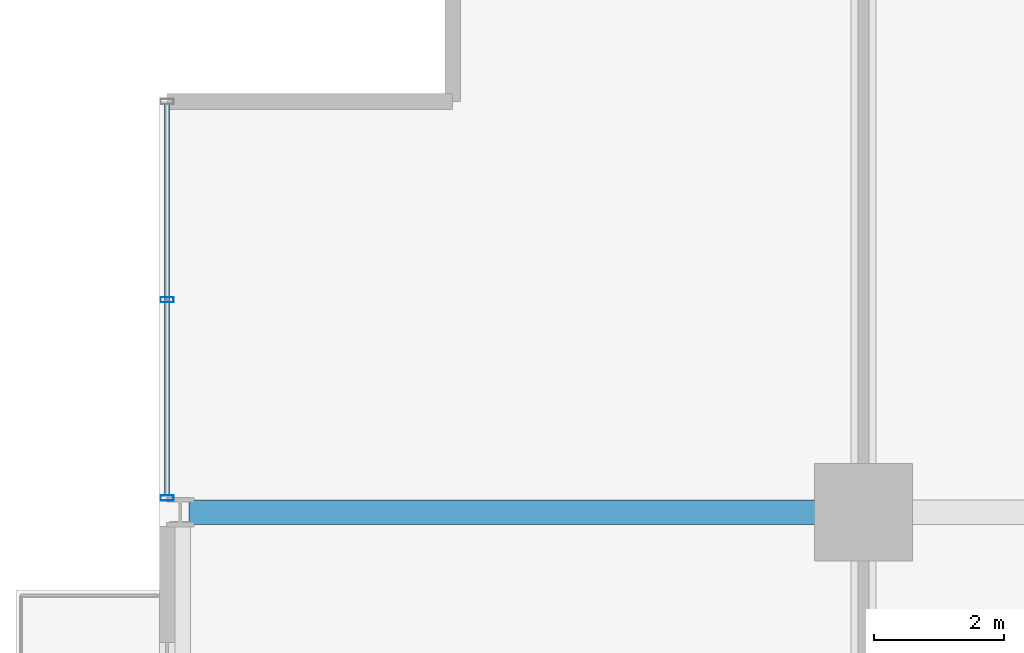
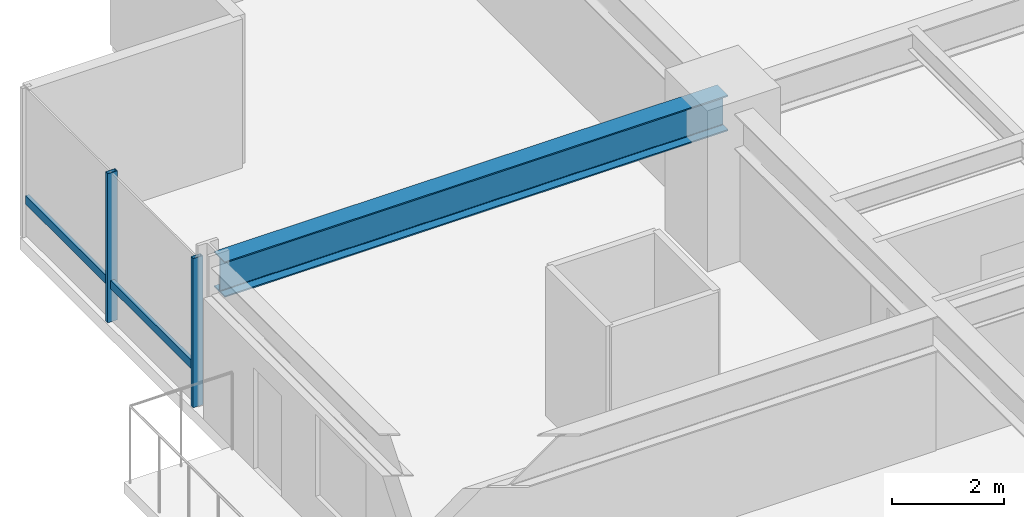
# One storey, part 18 of 34: 3 members, 1 beam, 1 element without a shape of its own.
"""IFC4 building model written with IfcOpenShell, lengths in metres."""

from ifc_helpers import new_model, si_unit, direction, frame, origin, origin_2d, place, context, subcontext, project, spatial, hollow_rectangle, i_section, extrude, material, layer, layer_set, material_profile, profile_set, type_object, element, aggregate, save


model = new_model("IFC4")

# Units and contexts
model_context = context("Model", 3, precision=1e-05, world=origin(), true_north=direction((0.0, 1.0)))
body_context = subcontext(model_context, "Body", "Model", "MODEL_VIEW")
ifc_project = project(units=[si_unit("LENGTHUNIT", "METRE"), si_unit("AREAUNIT", "SQUARE_METRE"), si_unit("VOLUMEUNIT", "CUBIC_METRE"), si_unit("PLANEANGLEUNIT", "RADIAN"), si_unit("MASSUNIT", "GRAM", prefix="KILO")], contexts=[model_context])

# Site, building, storey
site_placement = place(None, origin())
site = spatial("IfcSite", under=ifc_project, at=site_placement, CompositionType="ELEMENT")
building_placement = place(site_placement, origin())
building = spatial("IfcBuilding", under=site, at=building_placement, Name="Drelvath Grand Hotel", CompositionType="ELEMENT")
storey_placement = place(building_placement, frame((0.0, 0.0, 109.300048828125)))
storey = spatial("IfcBuildingStorey", under=building, at=storey_placement, Name="L27", CompositionType="ELEMENT", Elevation=109.300048828125)

# Curtain wall, members
ifc_material_1 = material(Name="Champagne Bronze Anodised Aluminium Frame", Category="aluminium")
ifc_layer = layer(ifc_material_1, 0.199951171875)
ifc_layer_set = layer_set([ifc_layer], Name="Champagne Bronze Anodised Aluminium Frame")
curtain_wall_type = type_object("IfcCurtainWallType", Name="Stick Curtain Wall CW-03 Champagne Bronze Mid-Rise", PredefinedType="NOTDEFINED", material=ifc_layer_set)
curtain_wall_placement = place(storey_placement, origin())
curtain_wall = element("IfcCurtainWall", 1, at=curtain_wall_placement, inside=storey, type_object=curtain_wall_type, Name="L27 CW-03 Curtain Wall CW03-L27-WN3", PredefinedType="NOTDEFINED")
ifc_material_profile_1 = material_profile(ifc_material_1, hollow_rectangle(XDim=0.074951171875, YDim=0.179931640625, WallThickness=0.0048828125, at=origin_2d()), Name="HSS180X75X5")
ifc_profile_set_1 = profile_set([ifc_material_profile_1], Name="Champagne Bronze Anodised Aluminium Frame")
member_type_1 = type_object("IfcMemberType", Name="Curtain Wall Horizontal Transom CW-03 HSS180X75X5", PredefinedType="USERDEFINED", material=ifc_profile_set_1)
member_1_placement = place(storey_placement, frame((-26.8798828125, 43.459716796875, 0.81005859375), z_axis=(0.0, 1.0, 0.0), x_axis=(-1.0, 0.0, 0.0)))
member_1 = element("IfcMember", 2, at=member_1_placement, type_object=member_type_1, Name="CW03-L27-WN3 Sill Transom", ObjectType="TRANSOM", PredefinedType="USERDEFINED", context=body_context, shape_type="SweptSolid", body=[
    extrude(hollow_rectangle(XDim=0.074951171875, YDim=0.179931640625, WallThickness=0.0048828125, at=origin_2d()), origin(), (0.0, 0.0, 1.0), 6.000244140625),
])
ifc_material_profile_2 = material_profile(ifc_material_1, hollow_rectangle(XDim=0.080078125, YDim=0.199951171875, WallThickness=0.0048828125, at=origin_2d()), Name="HSS200X80X5")
ifc_profile_set_2 = profile_set([ifc_material_profile_2], Name="Champagne Bronze Anodised Aluminium Frame")
member_type_2 = type_object("IfcMemberType", Name="Curtain Wall Vertical Mullion CW-03 HSS200X80X5", PredefinedType="MULLION", material=ifc_profile_set_2)
member_2_placement = place(storey_placement, frame((-26.8798828125, 43.419677734375, 0.0), z_axis=(0.0, 0.0, 1.0), x_axis=(0.0, 1.0, 0.0)))
member_2 = element("IfcMember", 3, at=member_2_placement, type_object=member_type_2, Name="CW03-L27-WN3 Mullion 1", PredefinedType="MULLION", context=body_context, shape_type="SweptSolid", body=[
    extrude(hollow_rectangle(XDim=0.080078125, YDim=0.199951171875, WallThickness=0.0048828125, at=origin_2d()), origin(), (0.0, 0.0, 1.0), 3.239990234375),
])
member_3_placement = place(storey_placement, frame((-26.8798828125, 46.459716796875, 0.0), z_axis=(0.0, 0.0, 1.0), x_axis=(0.0, 1.0, 0.0)))
member_3 = element("IfcMember", 4, at=member_3_placement, type_object=member_type_2, Name="CW03-L27-WN3 Mullion 2", PredefinedType="MULLION", context=body_context, shape_type="SweptSolid", body=[
    extrude(hollow_rectangle(XDim=0.080078125, YDim=0.199951171875, WallThickness=0.0048828125, at=origin_2d()), origin(), (0.0, 0.0, 1.0), 3.239990234375),
])
aggregate(curtain_wall, [member_2, member_3, member_1])

# Beam
ifc_material_2 = material(Name="Steel ASTM A992 Gr 50", Category="steel")
ifc_material_profile_3 = material_profile(ifc_material_2, i_section(OverallWidth=0.380615234375, OverallDepth=0.773193359375, WebThickness=0.0166015625, FlangeThickness=0.027099609375, FilletRadius=0.02490234375, at=origin_2d()), Name="W30X173")
ifc_profile_set_3 = profile_set([ifc_material_profile_3], Name="Steel ASTM A992 Gr 50")
beam_type = type_object("IfcBeamType", Name="Primary Floor Girder W30X173", PredefinedType="BEAM", material=ifc_profile_set_3)
beam_placement = place(storey_placement, frame((-26.5400390625, 43.199951171875, 2.853271484375), z_axis=(1.0, 0.0, 0.0), x_axis=(0.0, 1.0, 0.0)))
element("IfcBeam", 5, at=beam_placement, inside=storey, type_object=beam_type, Name="L27 West Grid Girder G", PredefinedType="BEAM", context=body_context, shape_type="SweptSolid", body=[
    extrude(i_section(OverallWidth=0.380615234375, OverallDepth=0.773193359375, WebThickness=0.0166015625, FlangeThickness=0.027099609375, FilletRadius=0.02490234375, at=origin_2d()), origin(), (0.0, 0.0, 1.0), 10.340087890625),
])

save(model, "model.ifc")
